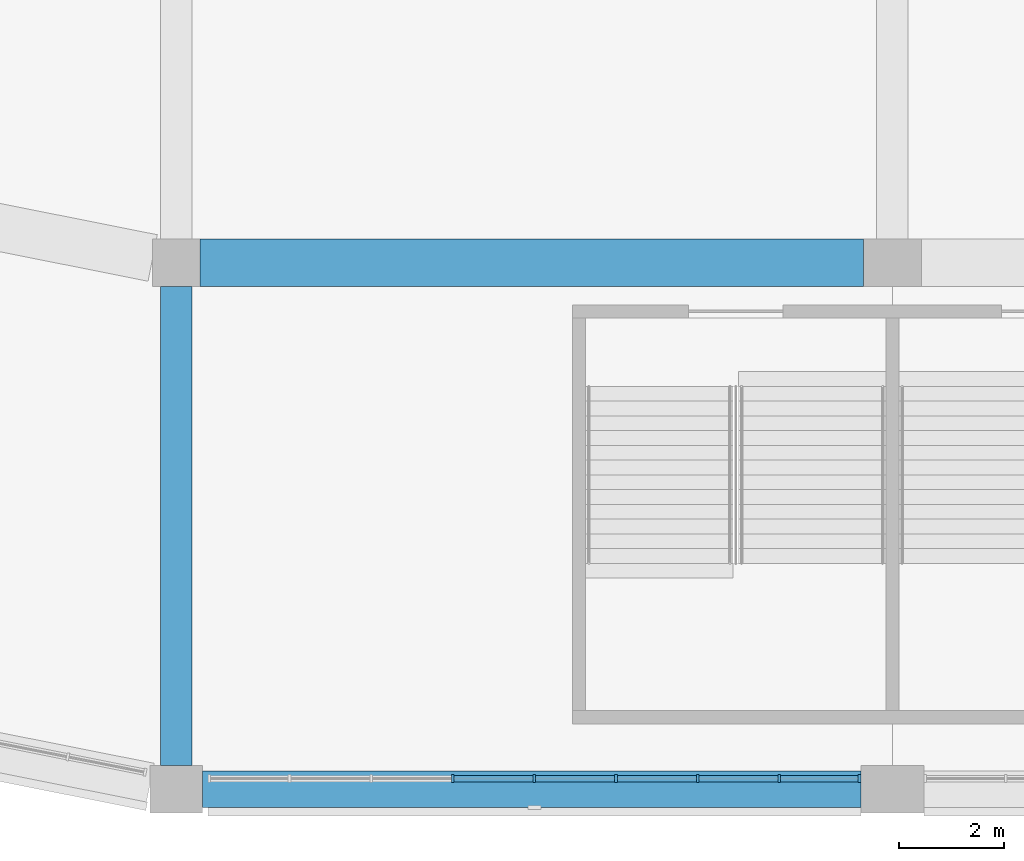
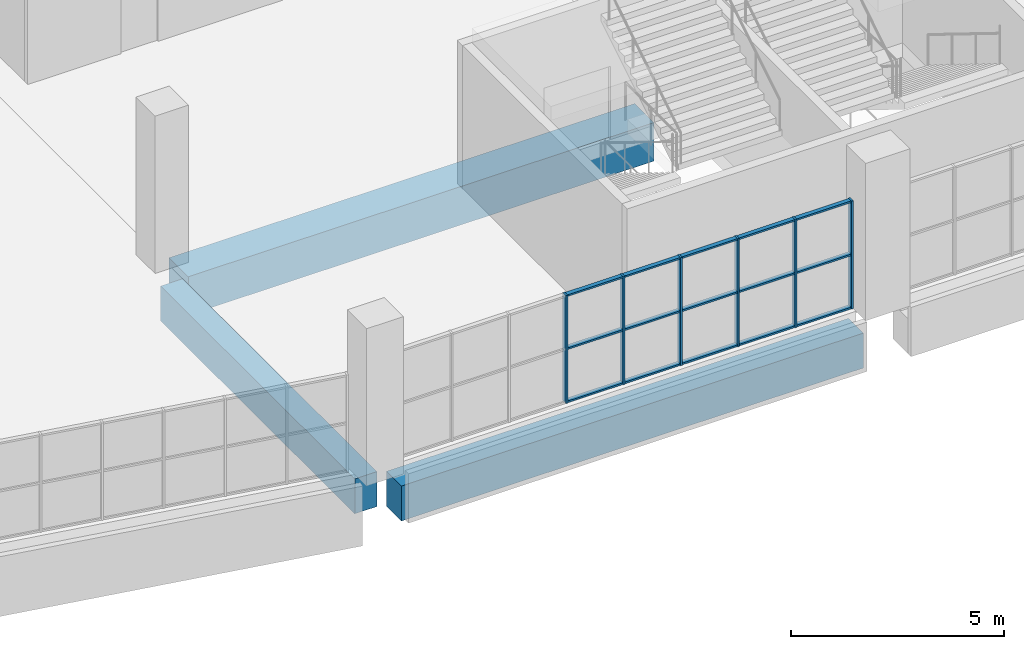
# One storey, part 6 of 199: 21 members, 3 beams, 1 element without a shape of its own.
"""IFC4 building model written with IfcOpenShell, lengths in metres."""

from ifc_helpers import new_model, si_unit, direction, frame, origin, origin_2d, place, context, subcontext, project, spatial, rectangle, extrude, material, material_profile, profile_set, type_object, element, aggregate, save


model = new_model("IFC4")

# Units and contexts
model_context = context("Model", 3, precision=1e-05, world=origin(), true_north=direction((0.0, 1.0)))
body_context = subcontext(model_context, "Body", "Model", "MODEL_VIEW")
ifc_project = project(units=[si_unit("LENGTHUNIT", "METRE"), si_unit("AREAUNIT", "SQUARE_METRE"), si_unit("VOLUMEUNIT", "CUBIC_METRE"), si_unit("PLANEANGLEUNIT", "RADIAN"), si_unit("MASSUNIT", "GRAM", prefix="KILO")], contexts=[model_context])

# Site, building, storey
site_placement = place(None, origin())
site = spatial("IfcSite", under=ifc_project, at=site_placement, CompositionType="ELEMENT")
building_placement = place(site_placement, origin())
building = spatial("IfcBuilding", under=site, at=building_placement, Name="Ogive Plaza Stadium", CompositionType="ELEMENT")
storey_placement = place(building_placement, frame((0.0, 0.0, 4.5)))
storey = spatial("IfcBuildingStorey", under=building, at=storey_placement, Name="L01", CompositionType="ELEMENT", Elevation=4.5)

# Curtain wall, members
ifc_material_1 = material(Name="Bronze-anodised aluminium with laminated glass", Category="aluminium")
curtain_wall_type = type_object("IfcCurtainWallType", Name="Lancet curtain wall", PredefinedType="NOTDEFINED", material=ifc_material_1)
curtain_wall_placement = place(storey_placement, origin())
curtain_wall = element("IfcCurtainWall", 1, at=curtain_wall_placement, inside=storey, type_object=curtain_wall_type, Name="CURTAIN WALL B16 L01", PredefinedType="NOTDEFINED")
ifc_material_2 = material(Name="Bronze-anodised aluminium", Category="aluminium")
ifc_material_profile_1 = material_profile(ifc_material_2, rectangle(XDim=0.14990234375, YDim=0.050048828125, at=origin_2d()), Name="AL 150x50")
ifc_profile_set_1 = profile_set([ifc_material_profile_1], Name="Bronze-anodised aluminium")
member_type_1 = type_object("IfcMemberType", Name="Curtain wall mullion 50x150", PredefinedType="MULLION", material=ifc_profile_set_1)
member_1_placement = place(storey_placement, frame((-21.02490234375, -102.300048828125, 0.0), z_axis=(0.0, 0.0, 1.0), x_axis=(0.0, -1.0, 0.0)))
member_1 = element("IfcMember", 2, at=member_1_placement, type_object=member_type_1, Name="CW-B16-L01 mullion 1", PredefinedType="MULLION", context=body_context, shape_type="SweptSolid", body=[
    extrude(rectangle(XDim=0.14990234375, YDim=0.050048828125, at=origin_2d()), origin(), (0.0, 0.0, 1.0), 3.090087890625),
])
member_2_placement = place(storey_placement, frame((-22.550048828125, -102.300048828125, 0.0), z_axis=(0.0, 0.0, 1.0), x_axis=(0.0, -1.0, 0.0)))
member_2 = element("IfcMember", 3, at=member_2_placement, type_object=member_type_1, Name="CW-B16-L01 mullion 2", PredefinedType="MULLION", context=body_context, shape_type="SweptSolid", body=[
    extrude(rectangle(XDim=0.14990234375, YDim=0.050048828125, at=origin_2d()), origin(), (0.0, 0.0, 1.0), 3.090087890625),
])
member_3_placement = place(storey_placement, frame((-24.10009765625, -102.300048828125, 0.0), z_axis=(0.0, 0.0, 1.0), x_axis=(0.0, -1.0, 0.0)))
member_3 = element("IfcMember", 4, at=member_3_placement, type_object=member_type_1, Name="CW-B16-L01 mullion 3", PredefinedType="MULLION", context=body_context, shape_type="SweptSolid", body=[
    extrude(rectangle(XDim=0.14990234375, YDim=0.050048828125, at=origin_2d()), origin(), (0.0, 0.0, 1.0), 3.090087890625),
])
member_4_placement = place(storey_placement, frame((-25.64990234375, -102.300048828125, 0.0), z_axis=(0.0, 0.0, 1.0), x_axis=(0.0, -1.0, 0.0)))
member_4 = element("IfcMember", 5, at=member_4_placement, type_object=member_type_1, Name="CW-B16-L01 mullion 4", PredefinedType="MULLION", context=body_context, shape_type="SweptSolid", body=[
    extrude(rectangle(XDim=0.14990234375, YDim=0.050048828125, at=origin_2d()), origin(), (0.0, 0.0, 1.0), 3.090087890625),
])
member_5_placement = place(storey_placement, frame((-27.199951171875, -102.300048828125, 0.0), z_axis=(0.0, 0.0, 1.0), x_axis=(0.0, -1.0, 0.0)))
member_5 = element("IfcMember", 6, at=member_5_placement, type_object=member_type_1, Name="CW-B16-L01 mullion 5", PredefinedType="MULLION", context=body_context, shape_type="SweptSolid", body=[
    extrude(rectangle(XDim=0.14990234375, YDim=0.050048828125, at=origin_2d()), origin(), (0.0, 0.0, 1.0), 3.090087890625),
])
member_6_placement = place(storey_placement, frame((-28.75, -102.300048828125, 0.0), z_axis=(0.0, 0.0, 1.0), x_axis=(0.0, -1.0, 0.0)))
member_6 = element("IfcMember", 7, at=member_6_placement, type_object=member_type_1, Name="CW-B16-L01 mullion 6", PredefinedType="MULLION", context=body_context, shape_type="SweptSolid", body=[
    extrude(rectangle(XDim=0.14990234375, YDim=0.050048828125, at=origin_2d()), origin(), (0.0, 0.0, 1.0), 3.090087890625),
])
ifc_material_3 = material(Name="Bronze-anodised aluminium", Category="aluminium")
ifc_material_profile_2 = material_profile(ifc_material_3, rectangle(XDim=0.1201171875, YDim=0.050048828125, at=origin_2d()), Name="AL 120x50")
ifc_profile_set_2 = profile_set([ifc_material_profile_2], Name="Bronze-anodised aluminium")
member_type_2 = type_object("IfcMemberType", Name="Curtain wall transom 50x120", PredefinedType="USERDEFINED", material=ifc_profile_set_2)
member_7_placement = place(storey_placement, frame((-21.050048828125, -102.300048828125, 0.02490234375), z_axis=(-1.0, 0.0, 0.0), x_axis=(0.0, -1.0, 0.0)))
member_7 = element("IfcMember", 8, at=member_7_placement, type_object=member_type_2, Name="CW-B16-L01 transom 1.1", ObjectType="TRANSOM", PredefinedType="USERDEFINED", context=body_context, shape_type="SweptSolid", body=[
    extrude(rectangle(XDim=0.1201171875, YDim=0.050048828125, at=origin_2d()), origin(), (0.0, 0.0, 1.0), 1.474853515625),
])
member_8_placement = place(storey_placement, frame((-21.050048828125, -102.300048828125, 1.544921875), z_axis=(-1.0, 0.0, 0.0), x_axis=(0.0, -1.0, 0.0)))
member_8 = element("IfcMember", 9, at=member_8_placement, type_object=member_type_2, Name="CW-B16-L01 transom 1.2", ObjectType="TRANSOM", PredefinedType="USERDEFINED", context=body_context, shape_type="SweptSolid", body=[
    extrude(rectangle(XDim=0.1201171875, YDim=0.050048828125, at=origin_2d()), origin(), (0.0, 0.0, 1.0), 1.474853515625),
])
member_9_placement = place(storey_placement, frame((-21.050048828125, -102.300048828125, 3.06494140625), z_axis=(-1.0, 0.0, 0.0), x_axis=(0.0, -1.0, 0.0)))
member_9 = element("IfcMember", 10, at=member_9_placement, type_object=member_type_2, Name="CW-B16-L01 transom 1.3", ObjectType="TRANSOM", PredefinedType="USERDEFINED", context=body_context, shape_type="SweptSolid", body=[
    extrude(rectangle(XDim=0.1201171875, YDim=0.050048828125, at=origin_2d()), origin(), (0.0, 0.0, 1.0), 1.474853515625),
])
member_10_placement = place(storey_placement, frame((-22.574951171875, -102.300048828125, 0.02490234375), z_axis=(-1.0, 0.0, 0.0), x_axis=(0.0, -1.0, 0.0)))
member_10 = element("IfcMember", 11, at=member_10_placement, type_object=member_type_2, Name="CW-B16-L01 transom 2.1", ObjectType="TRANSOM", PredefinedType="USERDEFINED", context=body_context, shape_type="SweptSolid", body=[
    extrude(rectangle(XDim=0.1201171875, YDim=0.050048828125, at=origin_2d()), origin(), (0.0, 0.0, 1.0), 1.5),
])
member_11_placement = place(storey_placement, frame((-22.574951171875, -102.300048828125, 1.544921875), z_axis=(-1.0, 0.0, 0.0), x_axis=(0.0, -1.0, 0.0)))
member_11 = element("IfcMember", 12, at=member_11_placement, type_object=member_type_2, Name="CW-B16-L01 transom 2.2", ObjectType="TRANSOM", PredefinedType="USERDEFINED", context=body_context, shape_type="SweptSolid", body=[
    extrude(rectangle(XDim=0.1201171875, YDim=0.050048828125, at=origin_2d()), origin(), (0.0, 0.0, 1.0), 1.5),
])
member_12_placement = place(storey_placement, frame((-22.574951171875, -102.300048828125, 3.06494140625), z_axis=(-1.0, 0.0, 0.0), x_axis=(0.0, -1.0, 0.0)))
member_12 = element("IfcMember", 13, at=member_12_placement, type_object=member_type_2, Name="CW-B16-L01 transom 2.3", ObjectType="TRANSOM", PredefinedType="USERDEFINED", context=body_context, shape_type="SweptSolid", body=[
    extrude(rectangle(XDim=0.1201171875, YDim=0.050048828125, at=origin_2d()), origin(), (0.0, 0.0, 1.0), 1.5),
])
member_13_placement = place(storey_placement, frame((-24.125, -102.300048828125, 0.02490234375), z_axis=(-1.0, 0.0, 0.0), x_axis=(0.0, -1.0, 0.0)))
member_13 = element("IfcMember", 14, at=member_13_placement, type_object=member_type_2, Name="CW-B16-L01 transom 3.1", ObjectType="TRANSOM", PredefinedType="USERDEFINED", context=body_context, shape_type="SweptSolid", body=[
    extrude(rectangle(XDim=0.1201171875, YDim=0.050048828125, at=origin_2d()), origin(), (0.0, 0.0, 1.0), 1.5),
])
member_14_placement = place(storey_placement, frame((-24.125, -102.300048828125, 1.544921875), z_axis=(-1.0, 0.0, 0.0), x_axis=(0.0, -1.0, 0.0)))
member_14 = element("IfcMember", 15, at=member_14_placement, type_object=member_type_2, Name="CW-B16-L01 transom 3.2", ObjectType="TRANSOM", PredefinedType="USERDEFINED", context=body_context, shape_type="SweptSolid", body=[
    extrude(rectangle(XDim=0.1201171875, YDim=0.050048828125, at=origin_2d()), origin(), (0.0, 0.0, 1.0), 1.5),
])
member_15_placement = place(storey_placement, frame((-24.125, -102.300048828125, 3.06494140625), z_axis=(-1.0, 0.0, 0.0), x_axis=(0.0, -1.0, 0.0)))
member_15 = element("IfcMember", 16, at=member_15_placement, type_object=member_type_2, Name="CW-B16-L01 transom 3.3", ObjectType="TRANSOM", PredefinedType="USERDEFINED", context=body_context, shape_type="SweptSolid", body=[
    extrude(rectangle(XDim=0.1201171875, YDim=0.050048828125, at=origin_2d()), origin(), (0.0, 0.0, 1.0), 1.5),
])
member_16_placement = place(storey_placement, frame((-25.675048828125, -102.300048828125, 0.02490234375), z_axis=(-1.0, 0.0, 0.0), x_axis=(0.0, -1.0, 0.0)))
member_16 = element("IfcMember", 17, at=member_16_placement, type_object=member_type_2, Name="CW-B16-L01 transom 4.1", ObjectType="TRANSOM", PredefinedType="USERDEFINED", context=body_context, shape_type="SweptSolid", body=[
    extrude(rectangle(XDim=0.1201171875, YDim=0.050048828125, at=origin_2d()), origin(), (0.0, 0.0, 1.0), 1.5),
])
member_17_placement = place(storey_placement, frame((-25.675048828125, -102.300048828125, 1.544921875), z_axis=(-1.0, 0.0, 0.0), x_axis=(0.0, -1.0, 0.0)))
member_17 = element("IfcMember", 18, at=member_17_placement, type_object=member_type_2, Name="CW-B16-L01 transom 4.2", ObjectType="TRANSOM", PredefinedType="USERDEFINED", context=body_context, shape_type="SweptSolid", body=[
    extrude(rectangle(XDim=0.1201171875, YDim=0.050048828125, at=origin_2d()), origin(), (0.0, 0.0, 1.0), 1.5),
])
member_18_placement = place(storey_placement, frame((-25.675048828125, -102.300048828125, 3.06494140625), z_axis=(-1.0, 0.0, 0.0), x_axis=(0.0, -1.0, 0.0)))
member_18 = element("IfcMember", 19, at=member_18_placement, type_object=member_type_2, Name="CW-B16-L01 transom 4.3", ObjectType="TRANSOM", PredefinedType="USERDEFINED", context=body_context, shape_type="SweptSolid", body=[
    extrude(rectangle(XDim=0.1201171875, YDim=0.050048828125, at=origin_2d()), origin(), (0.0, 0.0, 1.0), 1.5),
])
member_19_placement = place(storey_placement, frame((-27.22509765625, -102.300048828125, 0.02490234375), z_axis=(-1.0, 0.0, 0.0), x_axis=(0.0, -1.0, 0.0)))
member_19 = element("IfcMember", 20, at=member_19_placement, type_object=member_type_2, Name="CW-B16-L01 transom 5.1", ObjectType="TRANSOM", PredefinedType="USERDEFINED", context=body_context, shape_type="SweptSolid", body=[
    extrude(rectangle(XDim=0.1201171875, YDim=0.050048828125, at=origin_2d()), origin(), (0.0, 0.0, 1.0), 1.5),
])
member_20_placement = place(storey_placement, frame((-27.22509765625, -102.300048828125, 1.544921875), z_axis=(-1.0, 0.0, 0.0), x_axis=(0.0, -1.0, 0.0)))
member_20 = element("IfcMember", 21, at=member_20_placement, type_object=member_type_2, Name="CW-B16-L01 transom 5.2", ObjectType="TRANSOM", PredefinedType="USERDEFINED", context=body_context, shape_type="SweptSolid", body=[
    extrude(rectangle(XDim=0.1201171875, YDim=0.050048828125, at=origin_2d()), origin(), (0.0, 0.0, 1.0), 1.5),
])
member_21_placement = place(storey_placement, frame((-27.22509765625, -102.300048828125, 3.06494140625), z_axis=(-1.0, 0.0, 0.0), x_axis=(0.0, -1.0, 0.0)))
member_21 = element("IfcMember", 22, at=member_21_placement, type_object=member_type_2, Name="CW-B16-L01 transom 5.3", ObjectType="TRANSOM", PredefinedType="USERDEFINED", context=body_context, shape_type="SweptSolid", body=[
    extrude(rectangle(XDim=0.1201171875, YDim=0.050048828125, at=origin_2d()), origin(), (0.0, 0.0, 1.0), 1.5),
])
aggregate(curtain_wall, [member_1, member_2, member_3, member_4, member_5, member_6, member_7, member_8, member_9, member_10, member_11, member_12, member_13, member_14, member_15, member_16, member_17, member_18, member_19, member_20, member_21])

# Beams
ifc_material_4 = material(Name="Concrete C40/50", Category="concrete")
ifc_material_profile_3 = material_profile(ifc_material_4, rectangle(XDim=0.60009765625, YDim=1.0, at=origin_2d()), Name="RC 600x1000")
ifc_profile_set_3 = profile_set([ifc_material_profile_3], Name="Concrete C40/50")
beam_type_1 = type_object("IfcBeamType", Name="RC radial beam 600x1000", PredefinedType="BEAM", material=ifc_profile_set_3)
beam_1_placement = place(storey_placement, frame((-34.0, -92.949951171875, -0.909912109375), z_axis=(0.0, -1.0, 0.0), x_axis=(1.0, 0.0, 0.0)))
element("IfcBeam", 23, at=beam_1_placement, inside=storey, type_object=beam_type_1, Name="Radial beam L01 R17 F4F5", PredefinedType="BEAM", context=body_context, shape_type="SweptSolid", body=[
    extrude(rectangle(XDim=0.60009765625, YDim=1.0, at=origin_2d()), origin(), (0.0, 0.0, 1.0), 9.10009765625),
])
ifc_material_5 = material(Name="Concrete C40/50", Category="concrete")
ifc_material_profile_4 = material_profile(ifc_material_5, rectangle(XDim=0.89990234375, YDim=1.10009765625, at=origin_2d()), Name="RC 900x1100")
ifc_profile_set_4 = profile_set([ifc_material_profile_4], Name="Concrete C40/50")
beam_type_2 = type_object("IfcBeamType", Name="RC ring beam 900x1100", PredefinedType="BEAM", material=ifc_profile_set_4)
beam_2_placement = place(storey_placement, frame((-20.949951171875, -92.5, -0.9599609375), z_axis=(-1.0, 0.0, 0.0), x_axis=(0.0, -1.0, 0.0)))
element("IfcBeam", 24, at=beam_2_placement, inside=storey, type_object=beam_type_2, Name="Ring beam F4 L01 B16", PredefinedType="BEAM", context=body_context, shape_type="SweptSolid", body=[
    extrude(rectangle(XDim=0.89990234375, YDim=1.10009765625, at=origin_2d()), origin(), (0.0, 0.0, 1.0), 12.60009765625),
])
ifc_material_6 = material(Name="Concrete C40/50", Category="concrete")
ifc_material_profile_5 = material_profile(ifc_material_6, rectangle(XDim=0.699951171875, YDim=1.0, at=origin_2d()), Name="RC 700x1000")
ifc_profile_set_5 = profile_set([ifc_material_profile_5], Name="Concrete C40/50")
beam_type_3 = type_object("IfcBeamType", Name="RC spandrel beam 700x1000", PredefinedType="SPANDREL", material=ifc_profile_set_5)
beam_3_placement = place(storey_placement, frame((-21.0, -102.5, -0.909912109375), z_axis=(-1.0, 0.0, 0.0), x_axis=(0.0, -1.0, 0.0)))
element("IfcBeam", 25, at=beam_3_placement, inside=storey, type_object=beam_type_3, Name="Ring beam F5 L01 B16", PredefinedType="SPANDREL", context=body_context, shape_type="SweptSolid", body=[
    extrude(rectangle(XDim=0.699951171875, YDim=1.0, at=origin_2d()), origin(), (0.0, 0.0, 1.0), 12.5),
])

save(model, "model.ifc")
